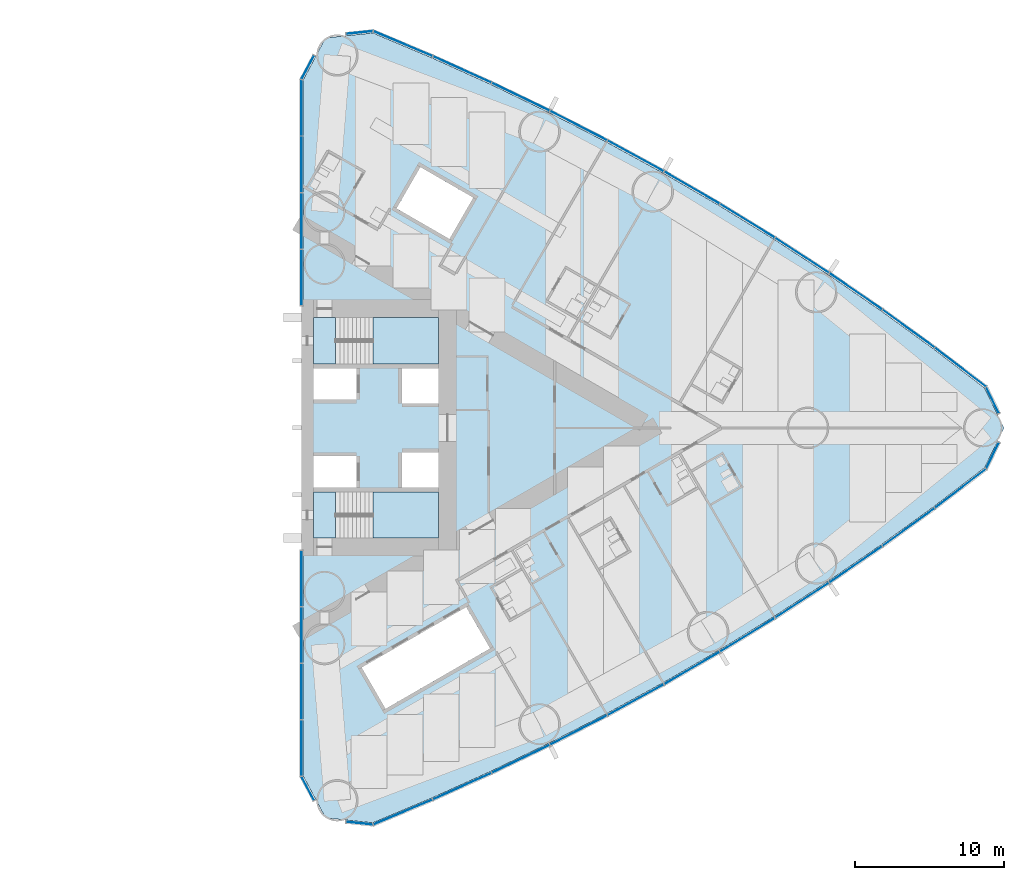
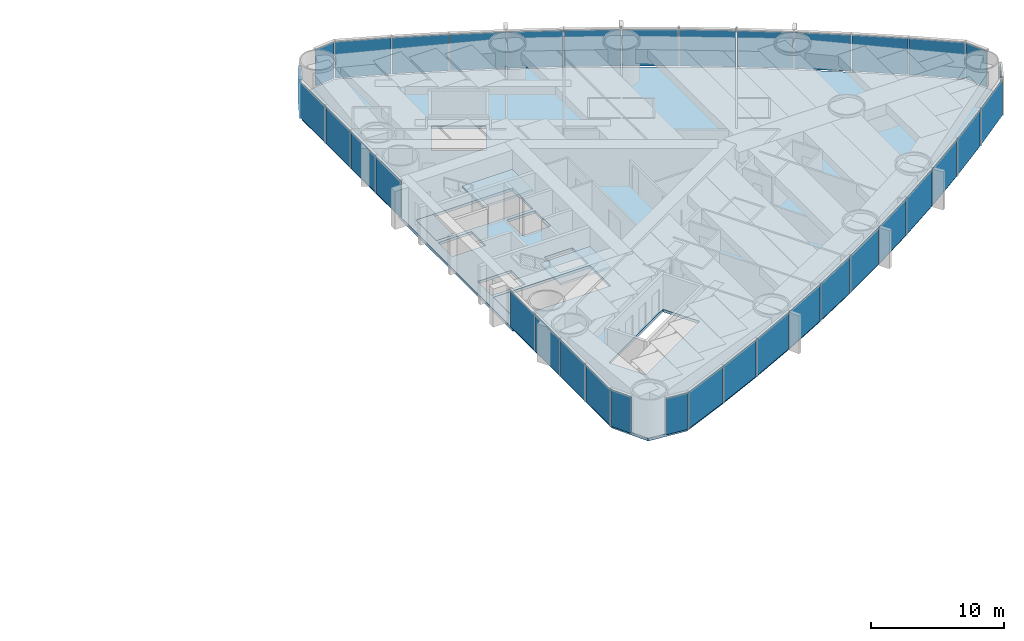
# One storey, part 10 of 19: 36 plates, 5 slabs, 6 elements without a shape of their own.
"""IFC4 building model written with IfcOpenShell, lengths in metres."""

from ifc_helpers import new_model, si_unit, direction, frame, origin, origin_2d, place, context, subcontext, project, spatial, polyline, rectangle, outline, extrude, material, layer, layer_set, type_object, element, aggregate, save


model = new_model("IFC4")

# Units and contexts
model_context = context("Model", 3, precision=1e-05, world=origin(), true_north=direction((0.0, 1.0)))
body_context = subcontext(model_context, "Body", "Model", "MODEL_VIEW")
ifc_project = project(units=[si_unit("LENGTHUNIT", "METRE"), si_unit("AREAUNIT", "SQUARE_METRE"), si_unit("VOLUMEUNIT", "CUBIC_METRE"), si_unit("PLANEANGLEUNIT", "RADIAN"), si_unit("MASSUNIT", "GRAM", prefix="KILO")], contexts=[model_context])

# Site, building, storey
site_placement = place(None, origin())
site = spatial("IfcSite", under=ifc_project, at=site_placement, CompositionType="ELEMENT")
building_placement = place(site_placement, origin())
building = spatial("IfcBuilding", under=site, at=building_placement, Name="Lancet Gate Hotel", CompositionType="ELEMENT")
storey_placement = place(building_placement, frame((0.0, 0.0, 63.5)))
storey = spatial("IfcBuildingStorey", under=building, at=storey_placement, Name="L16", CompositionType="ELEMENT", Elevation=63.5)

# Slab
ifc_material_1 = material(Name="Concrete C50/60", Category="concrete")
ifc_layer_1 = layer(ifc_material_1, 0.25)
ifc_layer_set_1 = layer_set([ifc_layer_1], Name="Floor slab 250")
slab_type_1 = type_object("IfcSlabType", Name="Floor slab 250", PredefinedType="FLOOR", material=ifc_layer_set_1)
slab_1_placement = place(storey_placement, frame((0.0, 0.0, -0.25)))
element("IfcSlab", 1, at=slab_1_placement, inside=storey, type_object=slab_type_1, Name="T2 L16 floor slab", PredefinedType="FLOOR", context=body_context, shape_type="SweptSolid", body=[
    extrude(outline(polyline([(27.5, -8.60009765625), (27.6201171875, -8.60009765625), (27.6201171875, -23.35498046875), (29.12158203125, -26.175537109375), (32.299072265625, -26.5048828125), (36.26708984375, -24.833740234375), (40.2177734375, -23.050048828125), (44.121826171875, -21.16650390625), (47.9765625, -19.18408203125), (51.77978515625, -17.104248046875), (55.528564453125, -14.92822265625), (59.220947265625, -12.657470703125), (62.854248046875, -10.29345703125), (66.42626953125, -7.837890625), (69.934814453125, -5.292236328125), (73.355712890625, -2.67431640625), (74.65576171875, 0.0), (73.355712890625, 2.67431640625), (69.934814453125, 5.292236328125), (66.42626953125, 7.837890625), (62.854248046875, 10.29345703125), (59.220947265625, 12.657470703125), (55.528564453125, 14.92822265625), (51.77978515625, 17.104248046875), (47.9765625, 19.18408203125), (44.121826171875, 21.16650390625), (40.2177734375, 23.050048828125), (36.26708984375, 24.833740234375), (32.299072265625, 26.5048828125), (29.12158203125, 26.175537109375), (27.6201171875, 23.35498046875), (27.6201171875, 8.60009765625), (27.5, 8.60009765625), (27.5, 8.199951171875), (27.5, -8.199951171875), (27.5, -8.60009765625)]), holes=[polyline([(36.699951171875, -7.39990234375), (36.699951171875, -4.300048828125), (28.300048828125, -4.300048828125), (28.300048828125, -7.39990234375), (36.699951171875, -7.39990234375)]), polyline([(28.300048828125, -4.0), (31.199951171875, -4.0), (31.199951171875, -1.89990234375), (28.300048828125, -1.89990234375), (28.300048828125, -4.0)]), polyline([(34.25, -4.0), (36.699951171875, -4.0), (36.699951171875, -1.64990234375), (34.25, -1.64990234375), (34.25, -4.0)]), polyline([(36.699951171875, 1.64990234375), (36.699951171875, 4.0), (34.25, 4.0), (34.25, 1.64990234375), (36.699951171875, 1.64990234375)]), polyline([(28.300048828125, 1.89990234375), (31.199951171875, 1.89990234375), (31.199951171875, 4.0), (28.300048828125, 4.0), (28.300048828125, 1.89990234375)]), polyline([(28.300048828125, 4.300048828125), (36.699951171875, 4.300048828125), (36.699951171875, 7.39990234375), (28.300048828125, 7.39990234375), (28.300048828125, 4.300048828125)]), polyline([(31.549072265625, -16.0810546875), (33.14892578125, -18.85205078125), (40.1640625, -14.802001953125), (38.56396484375, -12.031005859375), (31.549072265625, -16.0810546875)]), polyline([(33.887939453125, 14.73095703125), (37.43798828125, 12.680908203125), (39.0380859375, 15.451904296875), (35.488037109375, 17.501953125), (33.887939453125, 14.73095703125)])]), origin(), (0.0, 0.0, 1.0), 0.25),
])

# Stair, slabs
ifc_material_2 = material(Name="Exit stair 20 risers 1500")
stair_type = type_object("IfcStairType", Name="Exit stair 20 risers 1500", PredefinedType="HALF_TURN_STAIR", material=ifc_material_2)
stair_1_placement = place(storey_placement, origin())
stair_1 = element("IfcStair", 2, at=stair_1_placement, inside=storey, type_object=stair_type, Name="T2 stair 1 L16", PredefinedType="HALF_TURN_STAIR")
ifc_material_3 = material(Name="Concrete C40/50", Category="concrete")
ifc_layer_2 = layer(ifc_material_3, 0.199951171875)
ifc_layer_set_2 = layer_set([ifc_layer_2], Name="Stair landing 200")
slab_type_2 = type_object("IfcSlabType", Name="Stair landing 200", PredefinedType="LANDING", material=ifc_layer_set_2)
slab_2_placement = place(storey_placement, frame((0.0, 0.0, -0.199951171875)))
slab_2 = element("IfcSlab", 3, at=slab_2_placement, type_object=slab_type_2, Name="ST3 landing 1", PredefinedType="LANDING", context=body_context, shape_type="SweptSolid", body=[
    extrude(outline(polyline([(28.300048828125, -7.39990234375), (29.800048828125, -7.39990234375), (29.800048828125, -4.300048828125), (28.300048828125, -4.300048828125), (28.300048828125, -7.39990234375)])), origin(), (0.0, 0.0, 1.0), 0.199951171875),
])
slab_3_placement = place(storey_placement, frame((0.0, 0.0, 1.550048828125)))
slab_3 = element("IfcSlab", 4, at=slab_3_placement, type_object=slab_type_2, Name="ST3 landing 2", PredefinedType="LANDING", context=body_context, shape_type="SweptSolid", body=[
    extrude(outline(polyline([(32.320068359375, -7.39990234375), (36.699951171875, -7.39990234375), (36.699951171875, -4.300048828125), (32.320068359375, -4.300048828125), (32.320068359375, -7.39990234375)])), origin(), (0.0, 0.0, 1.0), 0.199951171875),
])
aggregate(stair_1, [slab_2, slab_3])

stair_2_placement = place(storey_placement, origin())
stair_2 = element("IfcStair", 5, at=stair_2_placement, inside=storey, type_object=stair_type, Name="T2 stair 2 L16", PredefinedType="HALF_TURN_STAIR")
slab_4_placement = place(storey_placement, frame((0.0, 0.0, -0.199951171875)))
slab_4 = element("IfcSlab", 6, at=slab_4_placement, type_object=slab_type_2, Name="ST4 landing 1", PredefinedType="LANDING", context=body_context, shape_type="SweptSolid", body=[
    extrude(outline(polyline([(28.300048828125, 4.300048828125), (29.800048828125, 4.300048828125), (29.800048828125, 7.39990234375), (28.300048828125, 7.39990234375), (28.300048828125, 4.300048828125)])), origin(), (0.0, 0.0, 1.0), 0.199951171875),
])
slab_5_placement = place(storey_placement, frame((0.0, 0.0, 1.550048828125)))
slab_5 = element("IfcSlab", 7, at=slab_5_placement, type_object=slab_type_2, Name="ST4 landing 2", PredefinedType="LANDING", context=body_context, shape_type="SweptSolid", body=[
    extrude(outline(polyline([(32.320068359375, 4.300048828125), (36.699951171875, 4.300048828125), (36.699951171875, 7.39990234375), (32.320068359375, 7.39990234375), (32.320068359375, 4.300048828125)])), origin(), (0.0, 0.0, 1.0), 0.199951171875),
])
aggregate(stair_2, [slab_4, slab_5])

# Curtain wall, plates
ifc_material_4 = material(Name="Aluminium curtain wall", Category="aluminium")
curtain_wall_type = type_object("IfcCurtainWallType", Name="Tower unitised curtain wall", PredefinedType="USERDEFINED", material=ifc_material_4)
curtain_wall_1_placement = place(storey_placement, origin())
curtain_wall_1 = element("IfcCurtainWall", 8, at=curtain_wall_1_placement, inside=storey, type_object=curtain_wall_type, Name="T2 L16 curtain wall 1", ObjectType="UNITISED CURTAIN WALL", PredefinedType="USERDEFINED")
ifc_material_5 = material(Name="Glass double glazed unit 8-16-6", Category="glass")
ifc_layer_3 = layer(ifc_material_5, 0.030029296875)
ifc_layer_set_3 = layer_set([ifc_layer_3], Name="Vision panel double glazed")
plate_type = type_object("IfcPlateType", Name="Vision panel double glazed", PredefinedType="CURTAIN_PANEL", material=ifc_layer_set_3)
plate_1_placement = place(storey_placement, frame((27.5, -10.09814453125, 0.0), z_axis=(0.0, 0.0, 1.0), x_axis=(0.0, -1.0, 0.0)))
plate_1 = element("IfcPlate", 9, at=plate_1_placement, type_object=plate_type, Name="T2 L16 curtain wall 1 panel 1", PredefinedType="CURTAIN_PANEL", context=body_context, shape_type="SweptSolid", body=[
    extrude(rectangle(XDim=3.731201171875, YDim=0.030029296875, at=origin_2d()), origin(), (0.0, 0.0, 1.0), 3.35009765625),
])
plate_2_placement = place(storey_placement, frame((27.5, -13.894287109375, 0.0), z_axis=(0.0, 0.0, 1.0), x_axis=(0.0, -1.0, 0.0)))
plate_2 = element("IfcPlate", 10, at=plate_2_placement, type_object=plate_type, Name="T2 L16 curtain wall 1 panel 2", PredefinedType="CURTAIN_PANEL", context=body_context, shape_type="SweptSolid", body=[
    extrude(rectangle(XDim=3.731201171875, YDim=0.030029296875, at=origin_2d()), origin(), (0.0, 0.0, 1.0), 3.35009765625),
])
plate_3_placement = place(storey_placement, frame((27.5, -17.6904296875, 0.0), z_axis=(0.0, 0.0, 1.0), x_axis=(0.0, -1.0, 0.0)))
plate_3 = element("IfcPlate", 11, at=plate_3_placement, type_object=plate_type, Name="T2 L16 curtain wall 1 panel 3", PredefinedType="CURTAIN_PANEL", context=body_context, shape_type="SweptSolid", body=[
    extrude(rectangle(XDim=3.731201171875, YDim=0.030029296875, at=origin_2d()), origin(), (0.0, 0.0, 1.0), 3.35009765625),
])
plate_4_placement = place(storey_placement, frame((27.5, -21.48681640625, 0.0), z_axis=(0.0, 0.0, 1.0), x_axis=(0.0, -1.0, 0.0)))
plate_4 = element("IfcPlate", 12, at=plate_4_placement, type_object=plate_type, Name="T2 L16 curtain wall 1 panel 4", PredefinedType="CURTAIN_PANEL", context=body_context, shape_type="SweptSolid", body=[
    extrude(rectangle(XDim=3.731201171875, YDim=0.030029296875, at=origin_2d()), origin(), (0.0, 0.0, 1.0), 3.35009765625),
])
plate_5_placement = place(storey_placement, frame((27.933349609375, -24.19873046875, 0.0), z_axis=(0.0, 0.0, 1.0), x_axis=(0.469897827284, -0.882720811987, 0.0)))
plate_5 = element("IfcPlate", 13, at=plate_5_placement, type_object=plate_type, Name="T2 L16 curtain wall 1 panel 5", PredefinedType="CURTAIN_PANEL", context=body_context, shape_type="SweptSolid", body=[
    extrude(rectangle(XDim=1.779052734375, YDim=0.030029296875, at=origin_2d()), origin(), (0.0, 0.0, 1.0), 3.35009765625),
])
aggregate(curtain_wall_1, [plate_1, plate_2, plate_3, plate_4, plate_5])

curtain_wall_2_placement = place(storey_placement, origin())
curtain_wall_2 = element("IfcCurtainWall", 14, at=curtain_wall_2_placement, inside=storey, type_object=curtain_wall_type, Name="T2 L16 curtain wall 2", ObjectType="UNITISED CURTAIN WALL", PredefinedType="USERDEFINED")
plate_6_placement = place(storey_placement, frame((31.400634765625, -26.532470703125, 0.0), z_axis=(0.0, 0.0, 1.0), x_axis=(0.994672262412, -0.10308778001, 0.0)))
plate_6 = element("IfcPlate", 15, at=plate_6_placement, type_object=plate_type, Name="T2 L16 curtain wall 2 panel 1", PredefinedType="CURTAIN_PANEL", context=body_context, shape_type="SweptSolid", body=[
    extrude(rectangle(XDim=1.7783203125, YDim=0.030029296875, at=origin_2d()), origin(), (0.0, 0.0, 1.0), 3.35009765625),
])
plate_7_placement = place(storey_placement, frame((34.316162109375, -25.78564453125, 0.0), z_axis=(0.0, 0.0, 1.0), x_axis=(0.92159330598, 0.38815689917, 0.0)))
plate_7 = element("IfcPlate", 16, at=plate_7_placement, type_object=plate_type, Name="T2 L16 curtain wall 2 panel 2", PredefinedType="CURTAIN_PANEL", context=body_context, shape_type="SweptSolid", body=[
    extrude(rectangle(XDim=4.272705078125, YDim=0.030029296875, at=origin_2d()), origin(), (0.0, 0.0, 1.0), 3.35009765625),
])
plate_8_placement = place(storey_placement, frame((38.291748046875, -24.05126953125, 0.0), z_axis=(0.0, 0.0, 1.0), x_axis=(0.911415640556, 0.41148697446, 0.0)))
plate_8 = element("IfcPlate", 17, at=plate_8_placement, type_object=plate_type, Name="T2 L16 curtain wall 2 panel 3", PredefinedType="CURTAIN_PANEL", context=body_context, shape_type="SweptSolid", body=[
    extrude(rectangle(XDim=4.272705078125, YDim=0.030029296875, at=origin_2d()), origin(), (0.0, 0.0, 1.0), 3.35009765625),
])
plate_9_placement = place(storey_placement, frame((42.221923828125, -22.21630859375, 0.0), z_axis=(0.0, 0.0, 1.0), x_axis=(0.90064748964, 0.434550456686, 0.0)))
plate_9 = element("IfcPlate", 18, at=plate_9_placement, type_object=plate_type, Name="T2 L16 curtain wall 2 panel 4", PredefinedType="CURTAIN_PANEL", context=body_context, shape_type="SweptSolid", body=[
    extrude(rectangle(XDim=4.272705078125, YDim=0.030029296875, at=origin_2d()), origin(), (0.0, 0.0, 1.0), 3.35009765625),
])
plate_10_placement = place(storey_placement, frame((46.10400390625, -20.281982421875, 0.0), z_axis=(0.0, 0.0, 1.0), x_axis=(0.889295829671, 0.457332403541, 0.0)))
plate_10 = element("IfcPlate", 19, at=plate_10_placement, type_object=plate_type, Name="T2 L16 curtain wall 2 panel 5", PredefinedType="CURTAIN_PANEL", context=body_context, shape_type="SweptSolid", body=[
    extrude(rectangle(XDim=4.272705078125, YDim=0.030029296875, at=origin_2d()), origin(), (0.0, 0.0, 1.0), 3.35009765625),
])
plate_11_placement = place(storey_placement, frame((49.935791015625, -18.249267578125, 0.0), z_axis=(0.0, 0.0, 1.0), x_axis=(0.877368015134, 0.47981805512, 0.0)))
plate_11 = element("IfcPlate", 20, at=plate_11_placement, type_object=plate_type, Name="T2 L16 curtain wall 2 panel 6", PredefinedType="CURTAIN_PANEL", context=body_context, shape_type="SweptSolid", body=[
    extrude(rectangle(XDim=4.272705078125, YDim=0.030029296875, at=origin_2d()), origin(), (0.0, 0.0, 1.0), 3.35009765625),
])
plate_12_placement = place(storey_placement, frame((53.71435546875, -16.119873046875, 0.0), z_axis=(0.0, 0.0, 1.0), x_axis=(0.864871773788, 0.501992843479, 0.0)))
plate_12 = element("IfcPlate", 21, at=plate_12_placement, type_object=plate_type, Name="T2 L16 curtain wall 2 panel 7", PredefinedType="CURTAIN_PANEL", context=body_context, shape_type="SweptSolid", body=[
    extrude(rectangle(XDim=4.272705078125, YDim=0.030029296875, at=origin_2d()), origin(), (0.0, 0.0, 1.0), 3.35009765625),
])
plate_13_placement = place(storey_placement, frame((57.437744140625, -13.89501953125, 0.0), z_axis=(0.0, 0.0, 1.0), x_axis=(0.851815201664, 0.523842402077, 0.0)))
plate_13 = element("IfcPlate", 22, at=plate_13_placement, type_object=plate_type, Name="T2 L16 curtain wall 2 panel 8", PredefinedType="CURTAIN_PANEL", context=body_context, shape_type="SweptSolid", body=[
    extrude(rectangle(XDim=4.272705078125, YDim=0.030029296875, at=origin_2d()), origin(), (0.0, 0.0, 1.0), 3.35009765625),
])
plate_14_placement = place(storey_placement, frame((61.10302734375, -11.576171875, 0.0), z_axis=(0.0, 0.0, 1.0), x_axis=(0.838206757819, 0.54535257508, 0.0)))
plate_14 = element("IfcPlate", 23, at=plate_14_placement, type_object=plate_type, Name="T2 L16 curtain wall 2 panel 9", PredefinedType="CURTAIN_PANEL", context=body_context, shape_type="SweptSolid", body=[
    extrude(rectangle(XDim=4.272705078125, YDim=0.030029296875, at=origin_2d()), origin(), (0.0, 0.0, 1.0), 3.35009765625),
])
plate_15_placement = place(storey_placement, frame((64.708251953125, -9.16455078125, 0.0), z_axis=(0.0, 0.0, 1.0), x_axis=(0.824055258853, 0.566509426538, 0.0)))
plate_15 = element("IfcPlate", 24, at=plate_15_placement, type_object=plate_type, Name="T2 L16 curtain wall 2 panel 10", PredefinedType="CURTAIN_PANEL", context=body_context, shape_type="SweptSolid", body=[
    extrude(rectangle(XDim=4.272705078125, YDim=0.030029296875, at=origin_2d()), origin(), (0.0, 0.0, 1.0), 3.35009765625),
])
plate_16_placement = place(storey_placement, frame((68.2509765625, -6.662109375, 0.0), z_axis=(0.0, 0.0, 1.0), x_axis=(0.809369873203, 0.587299249405, 0.0)))
plate_16 = element("IfcPlate", 25, at=plate_16_placement, type_object=plate_type, Name="T2 L16 curtain wall 2 panel 11", PredefinedType="CURTAIN_PANEL", context=body_context, shape_type="SweptSolid", body=[
    extrude(rectangle(XDim=4.272705078125, YDim=0.030029296875, at=origin_2d()), origin(), (0.0, 0.0, 1.0), 3.35009765625),
])
plate_17_placement = place(storey_placement, frame((71.72900390625, -4.0703125, 0.0), z_axis=(0.0, 0.0, 1.0), x_axis=(0.794160115195, 0.607708574428, 0.0)))
plate_17 = element("IfcPlate", 26, at=plate_17_placement, type_object=plate_type, Name="T2 L16 curtain wall 2 panel 12", PredefinedType="CURTAIN_PANEL", context=body_context, shape_type="SweptSolid", body=[
    extrude(rectangle(XDim=4.272705078125, YDim=0.030029296875, at=origin_2d()), origin(), (0.0, 0.0, 1.0), 3.35009765625),
])
plate_18_placement = place(storey_placement, frame((73.88671875, -1.856201171875, 0.0), z_axis=(0.0, 0.0, 1.0), x_axis=(0.437169070119, 0.899379343843, 0.0)))
plate_18 = element("IfcPlate", 27, at=plate_18_placement, type_object=plate_type, Name="T2 L16 curtain wall 2 panel 13", PredefinedType="CURTAIN_PANEL", context=body_context, shape_type="SweptSolid", body=[
    extrude(rectangle(XDim=1.92724609375, YDim=0.030029296875, at=origin_2d()), origin(), (0.0, 0.0, 1.0), 3.35009765625),
])
aggregate(curtain_wall_2, [plate_6, plate_7, plate_8, plate_9, plate_10, plate_11, plate_12, plate_13, plate_14, plate_15, plate_16, plate_17, plate_18])

curtain_wall_3_placement = place(storey_placement, origin())
curtain_wall_3 = element("IfcCurtainWall", 28, at=curtain_wall_3_placement, inside=storey, type_object=curtain_wall_type, Name="T2 L16 curtain wall 3", ObjectType="UNITISED CURTAIN WALL", PredefinedType="USERDEFINED")
plate_19_placement = place(storey_placement, frame((73.88671875, 1.856201171875, 0.0), z_axis=(0.0, 0.0, 1.0), x_axis=(-0.437169070119, 0.899379343843, 0.0)))
plate_19 = element("IfcPlate", 29, at=plate_19_placement, type_object=plate_type, Name="T2 L16 curtain wall 3 panel 1", PredefinedType="CURTAIN_PANEL", context=body_context, shape_type="SweptSolid", body=[
    extrude(rectangle(XDim=1.92724609375, YDim=0.030029296875, at=origin_2d()), origin(), (0.0, 0.0, 1.0), 3.35009765625),
])
plate_20_placement = place(storey_placement, frame((71.72900390625, 4.0703125, 0.0), z_axis=(0.0, 0.0, 1.0), x_axis=(-0.794160115195, 0.607708574428, 0.0)))
plate_20 = element("IfcPlate", 30, at=plate_20_placement, type_object=plate_type, Name="T2 L16 curtain wall 3 panel 2", PredefinedType="CURTAIN_PANEL", context=body_context, shape_type="SweptSolid", body=[
    extrude(rectangle(XDim=4.272705078125, YDim=0.030029296875, at=origin_2d()), origin(), (0.0, 0.0, 1.0), 3.35009765625),
])
plate_21_placement = place(storey_placement, frame((68.2509765625, 6.662109375, 0.0), z_axis=(0.0, 0.0, 1.0), x_axis=(-0.809369873203, 0.587299249405, 0.0)))
plate_21 = element("IfcPlate", 31, at=plate_21_placement, type_object=plate_type, Name="T2 L16 curtain wall 3 panel 3", PredefinedType="CURTAIN_PANEL", context=body_context, shape_type="SweptSolid", body=[
    extrude(rectangle(XDim=4.272705078125, YDim=0.030029296875, at=origin_2d()), origin(), (0.0, 0.0, 1.0), 3.35009765625),
])
plate_22_placement = place(storey_placement, frame((64.708251953125, 9.16455078125, 0.0), z_axis=(0.0, 0.0, 1.0), x_axis=(-0.824055258853, 0.566509426538, 0.0)))
plate_22 = element("IfcPlate", 32, at=plate_22_placement, type_object=plate_type, Name="T2 L16 curtain wall 3 panel 4", PredefinedType="CURTAIN_PANEL", context=body_context, shape_type="SweptSolid", body=[
    extrude(rectangle(XDim=4.272705078125, YDim=0.030029296875, at=origin_2d()), origin(), (0.0, 0.0, 1.0), 3.35009765625),
])
plate_23_placement = place(storey_placement, frame((61.10302734375, 11.576171875, 0.0), z_axis=(0.0, 0.0, 1.0), x_axis=(-0.838206757819, 0.54535257508, 0.0)))
plate_23 = element("IfcPlate", 33, at=plate_23_placement, type_object=plate_type, Name="T2 L16 curtain wall 3 panel 5", PredefinedType="CURTAIN_PANEL", context=body_context, shape_type="SweptSolid", body=[
    extrude(rectangle(XDim=4.272705078125, YDim=0.030029296875, at=origin_2d()), origin(), (0.0, 0.0, 1.0), 3.35009765625),
])
plate_24_placement = place(storey_placement, frame((57.437744140625, 13.89501953125, 0.0), z_axis=(0.0, 0.0, 1.0), x_axis=(-0.851815201664, 0.523842402077, 0.0)))
plate_24 = element("IfcPlate", 34, at=plate_24_placement, type_object=plate_type, Name="T2 L16 curtain wall 3 panel 6", PredefinedType="CURTAIN_PANEL", context=body_context, shape_type="SweptSolid", body=[
    extrude(rectangle(XDim=4.272705078125, YDim=0.030029296875, at=origin_2d()), origin(), (0.0, 0.0, 1.0), 3.35009765625),
])
plate_25_placement = place(storey_placement, frame((53.71435546875, 16.119873046875, 0.0), z_axis=(0.0, 0.0, 1.0), x_axis=(-0.864871773788, 0.501992843479, 0.0)))
plate_25 = element("IfcPlate", 35, at=plate_25_placement, type_object=plate_type, Name="T2 L16 curtain wall 3 panel 7", PredefinedType="CURTAIN_PANEL", context=body_context, shape_type="SweptSolid", body=[
    extrude(rectangle(XDim=4.272705078125, YDim=0.030029296875, at=origin_2d()), origin(), (0.0, 0.0, 1.0), 3.35009765625),
])
plate_26_placement = place(storey_placement, frame((49.935791015625, 18.249267578125, 0.0), z_axis=(0.0, 0.0, 1.0), x_axis=(-0.877368015134, 0.47981805512, 0.0)))
plate_26 = element("IfcPlate", 36, at=plate_26_placement, type_object=plate_type, Name="T2 L16 curtain wall 3 panel 8", PredefinedType="CURTAIN_PANEL", context=body_context, shape_type="SweptSolid", body=[
    extrude(rectangle(XDim=4.272705078125, YDim=0.030029296875, at=origin_2d()), origin(), (0.0, 0.0, 1.0), 3.35009765625),
])
plate_27_placement = place(storey_placement, frame((46.10400390625, 20.281982421875, 0.0), z_axis=(0.0, 0.0, 1.0), x_axis=(-0.889295829671, 0.457332403541, 0.0)))
plate_27 = element("IfcPlate", 37, at=plate_27_placement, type_object=plate_type, Name="T2 L16 curtain wall 3 panel 9", PredefinedType="CURTAIN_PANEL", context=body_context, shape_type="SweptSolid", body=[
    extrude(rectangle(XDim=4.272705078125, YDim=0.030029296875, at=origin_2d()), origin(), (0.0, 0.0, 1.0), 3.35009765625),
])
plate_28_placement = place(storey_placement, frame((42.221923828125, 22.21630859375, 0.0), z_axis=(0.0, 0.0, 1.0), x_axis=(-0.90064748964, 0.434550456686, 0.0)))
plate_28 = element("IfcPlate", 38, at=plate_28_placement, type_object=plate_type, Name="T2 L16 curtain wall 3 panel 10", PredefinedType="CURTAIN_PANEL", context=body_context, shape_type="SweptSolid", body=[
    extrude(rectangle(XDim=4.272705078125, YDim=0.030029296875, at=origin_2d()), origin(), (0.0, 0.0, 1.0), 3.35009765625),
])
plate_29_placement = place(storey_placement, frame((38.291748046875, 24.05126953125, 0.0), z_axis=(0.0, 0.0, 1.0), x_axis=(-0.911415640556, 0.41148697446, 0.0)))
plate_29 = element("IfcPlate", 39, at=plate_29_placement, type_object=plate_type, Name="T2 L16 curtain wall 3 panel 11", PredefinedType="CURTAIN_PANEL", context=body_context, shape_type="SweptSolid", body=[
    extrude(rectangle(XDim=4.272705078125, YDim=0.030029296875, at=origin_2d()), origin(), (0.0, 0.0, 1.0), 3.35009765625),
])
plate_30_placement = place(storey_placement, frame((34.316162109375, 25.78564453125, 0.0), z_axis=(0.0, 0.0, 1.0), x_axis=(-0.92159330598, 0.38815689917, 0.0)))
plate_30 = element("IfcPlate", 40, at=plate_30_placement, type_object=plate_type, Name="T2 L16 curtain wall 3 panel 12", PredefinedType="CURTAIN_PANEL", context=body_context, shape_type="SweptSolid", body=[
    extrude(rectangle(XDim=4.272705078125, YDim=0.030029296875, at=origin_2d()), origin(), (0.0, 0.0, 1.0), 3.35009765625),
])
plate_31_placement = place(storey_placement, frame((31.400634765625, 26.532470703125, 0.0), z_axis=(0.0, 0.0, 1.0), x_axis=(-0.994672262412, -0.10308778001, 0.0)))
plate_31 = element("IfcPlate", 41, at=plate_31_placement, type_object=plate_type, Name="T2 L16 curtain wall 3 panel 13", PredefinedType="CURTAIN_PANEL", context=body_context, shape_type="SweptSolid", body=[
    extrude(rectangle(XDim=1.7783203125, YDim=0.030029296875, at=origin_2d()), origin(), (0.0, 0.0, 1.0), 3.35009765625),
])
aggregate(curtain_wall_3, [plate_19, plate_20, plate_21, plate_22, plate_23, plate_24, plate_25, plate_26, plate_27, plate_28, plate_29, plate_30, plate_31])

curtain_wall_4_placement = place(storey_placement, origin())
curtain_wall_4 = element("IfcCurtainWall", 42, at=curtain_wall_4_placement, inside=storey, type_object=curtain_wall_type, Name="T2 L16 curtain wall 4", ObjectType="UNITISED CURTAIN WALL", PredefinedType="USERDEFINED")
plate_32_placement = place(storey_placement, frame((27.933349609375, 24.19873046875, 0.0), z_axis=(0.0, 0.0, 1.0), x_axis=(-0.469897827284, -0.882720811987, 0.0)))
plate_32 = element("IfcPlate", 43, at=plate_32_placement, type_object=plate_type, Name="T2 L16 curtain wall 4 panel 1", PredefinedType="CURTAIN_PANEL", context=body_context, shape_type="SweptSolid", body=[
    extrude(rectangle(XDim=1.779052734375, YDim=0.030029296875, at=origin_2d()), origin(), (0.0, 0.0, 1.0), 3.35009765625),
])
plate_33_placement = place(storey_placement, frame((27.5, 21.48681640625, 0.0), z_axis=(0.0, 0.0, 1.0), x_axis=(0.0, -1.0, 0.0)))
plate_33 = element("IfcPlate", 44, at=plate_33_placement, type_object=plate_type, Name="T2 L16 curtain wall 4 panel 2", PredefinedType="CURTAIN_PANEL", context=body_context, shape_type="SweptSolid", body=[
    extrude(rectangle(XDim=3.731201171875, YDim=0.030029296875, at=origin_2d()), origin(), (0.0, 0.0, 1.0), 3.35009765625),
])
plate_34_placement = place(storey_placement, frame((27.5, 17.6904296875, 0.0), z_axis=(0.0, 0.0, 1.0), x_axis=(0.0, -1.0, 0.0)))
plate_34 = element("IfcPlate", 45, at=plate_34_placement, type_object=plate_type, Name="T2 L16 curtain wall 4 panel 3", PredefinedType="CURTAIN_PANEL", context=body_context, shape_type="SweptSolid", body=[
    extrude(rectangle(XDim=3.731201171875, YDim=0.030029296875, at=origin_2d()), origin(), (0.0, 0.0, 1.0), 3.35009765625),
])
plate_35_placement = place(storey_placement, frame((27.5, 13.894287109375, 0.0), z_axis=(0.0, 0.0, 1.0), x_axis=(0.0, -1.0, 0.0)))
plate_35 = element("IfcPlate", 46, at=plate_35_placement, type_object=plate_type, Name="T2 L16 curtain wall 4 panel 4", PredefinedType="CURTAIN_PANEL", context=body_context, shape_type="SweptSolid", body=[
    extrude(rectangle(XDim=3.731201171875, YDim=0.030029296875, at=origin_2d()), origin(), (0.0, 0.0, 1.0), 3.35009765625),
])
plate_36_placement = place(storey_placement, frame((27.5, 10.09814453125, 0.0), z_axis=(0.0, 0.0, 1.0), x_axis=(0.0, -1.0, 0.0)))
plate_36 = element("IfcPlate", 47, at=plate_36_placement, type_object=plate_type, Name="T2 L16 curtain wall 4 panel 5", PredefinedType="CURTAIN_PANEL", context=body_context, shape_type="SweptSolid", body=[
    extrude(rectangle(XDim=3.731201171875, YDim=0.030029296875, at=origin_2d()), origin(), (0.0, 0.0, 1.0), 3.35009765625),
])
aggregate(curtain_wall_4, [plate_32, plate_33, plate_34, plate_35, plate_36])

save(model, "model.ifc")
